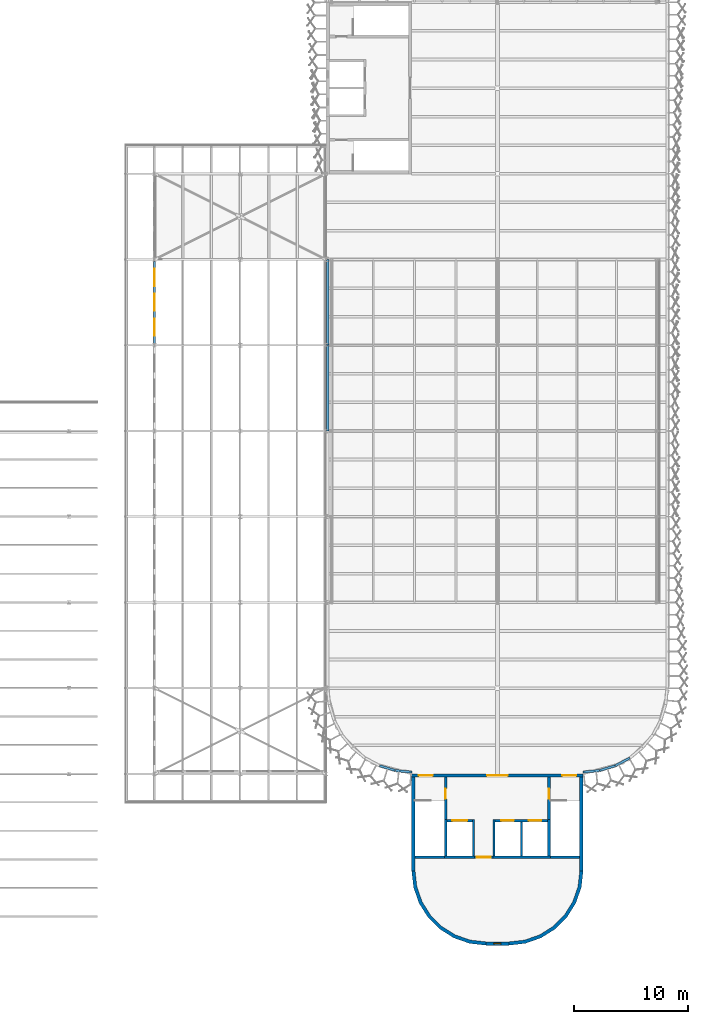
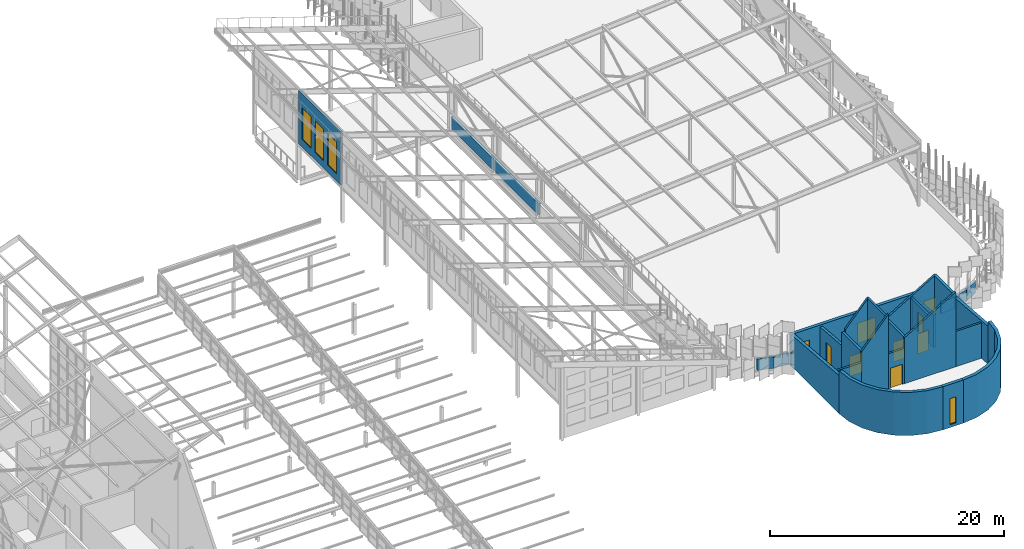
# One storey, part 122 of 483: 28 walls, 9 doors, 4 windows, 13 openings.
"""IFC4 building model written with IfcOpenShell, lengths in metres."""

from ifc_helpers import new_model, si_unit, direction, frame, frame_2d, origin, place, context, subcontext, project, spatial, polyline, rectangle, outline, extrude, material, layer, layer_set, type_object, element, fill, save


model = new_model("IFC4")

# Units and contexts
model_context = context("Model", 3, precision=1e-05, world=origin(), true_north=direction((0.0, 1.0)))
body_context = subcontext(model_context, "Body", "Model", "MODEL_VIEW")
ifc_project = project(units=[si_unit("LENGTHUNIT", "METRE"), si_unit("AREAUNIT", "SQUARE_METRE"), si_unit("VOLUMEUNIT", "CUBIC_METRE"), si_unit("PLANEANGLEUNIT", "RADIAN"), si_unit("MASSUNIT", "GRAM", prefix="KILO")], contexts=[model_context])

# Site, building, storey
site_placement = place(None, origin())
site = spatial("IfcSite", under=ifc_project, at=site_placement, CompositionType="ELEMENT")
building_placement = place(site_placement, origin())
building = spatial("IfcBuilding", under=site, at=building_placement, Name="Parallax Yard Mobility Hub", CompositionType="ELEMENT")
storey_placement = place(building_placement, frame((0.0, 0.0, 13.199951171875)))
storey = spatial("IfcBuildingStorey", under=building, at=storey_placement, Name="L04", CompositionType="ELEMENT", Elevation=13.199951171875)

# Wall, openings, doors
ifc_material_1 = material(Name="Concrete fc' 35 MPa", Category="concrete")
ifc_layer_1 = layer(ifc_material_1, 0.300048828125)
ifc_layer_set_1 = layer_set([ifc_layer_1], Name="Concrete fc' 35 MPa core wall 300")
wall_type_1 = type_object("IfcWallType", Name="Concrete fc' 35 MPa core wall 300", PredefinedType="SHEAR", material=ifc_layer_set_1)
wall_1_placement = place(storey_placement, frame((202.5, 22.35009765625, 0.0), z_axis=(0.0, 0.0, 1.0), x_axis=(1.0, 0.0, 0.0)))
wall_1 = element("IfcWall", 1, at=wall_1_placement, inside=storey, type_object=wall_type_1, Name="Core C-S entry wall level L04", PredefinedType="SHEAR", context=body_context, shape_type="SweptSolid", body=[
    extrude(rectangle(XDim=15.0, YDim=0.300048828125, at=frame_2d((7.5, 0.0))), origin(), (0.0, 0.0, 1.0), 3.300048828125),
])
opening_1_placement = place(wall_1_placement, frame((13.179931640625, 0.0, 0.0)))
opening_1 = element("IfcOpeningElement", 2, at=opening_1_placement, cuts=wall_1, Name="Opening L04-D724", PredefinedType="OPENING", context=body_context, shape_type="SweptSolid", body=[
    extrude(rectangle(XDim=1.199951171875, YDim=2.10009765625, at=frame_2d((0.60009765625, 1.050048828125))), frame((0.0, 0.16015625, 0.0), z_axis=(0.0, -1.0, 0.0), x_axis=(1.0, 0.0, 0.0)), (0.0, 0.0, 1.0), 0.320068359375),
])
opening_2_placement = place(wall_1_placement, frame((0.6201171875, 0.0, 0.0)))
opening_2 = element("IfcOpeningElement", 3, at=opening_2_placement, cuts=wall_1, Name="Opening L04-D725", PredefinedType="OPENING", context=body_context, shape_type="SweptSolid", body=[
    extrude(rectangle(XDim=1.199951171875, YDim=2.10009765625, at=frame_2d((0.60009765625, 1.050048828125))), frame((0.0, 0.16015625, 0.0), z_axis=(0.0, -1.0, 0.0), x_axis=(1.0, 0.0, 0.0)), (0.0, 0.0, 1.0), 0.320068359375),
])
opening_3_placement = place(wall_1_placement, frame((6.60009765625, 0.0, 0.0)))
opening_3 = element("IfcOpeningElement", 4, at=opening_3_placement, cuts=wall_1, Name="Opening L04-D726", PredefinedType="OPENING", context=body_context, shape_type="SweptSolid", body=[
    extrude(rectangle(XDim=1.800048828125, YDim=2.10009765625, at=frame_2d((0.89990234375, 1.050048828125))), frame((0.0, 0.16015625, 0.0), z_axis=(0.0, -1.0, 0.0), x_axis=(1.0, 0.0, 0.0)), (0.0, 0.0, 1.0), 0.320068359375),
])
ifc_material_2 = material(Name="Hollow metal steel door and frame", Category="steel")
door_type_1 = type_object("IfcDoorType", Name="Core door 1200 x 2100 FD90", OperationType="NOTDEFINED", PredefinedType="DOOR", material=ifc_material_2)
door_1_placement = place(opening_1_placement, origin())
door_1 = element("IfcDoor", 5, at=door_1_placement, inside=storey, type_object=door_type_1, Name="Stair deck door L04-D724, core C-S level L04", OperationType="SINGLE_SWING_RIGHT", OverallHeight=2.10009765625, OverallWidth=1.199951171875, PredefinedType="DOOR", context=body_context, shape_type="SweptSolid", body=[
    extrude(rectangle(XDim=1.199951171875, YDim=2.10009765625, at=frame_2d((0.60009765625, 1.050048828125))), frame((0.0, 0.02490234375, 0.0), z_axis=(0.0, -1.0, 0.0), x_axis=(1.0, 0.0, 0.0)), (0.0, 0.0, 1.0), 0.050048828125),
])
fill(opening_1, door_1)
door_2_placement = place(opening_2_placement, origin())
door_2 = element("IfcDoor", 6, at=door_2_placement, inside=storey, type_object=door_type_1, Name="Stair deck door L04-D725, core C-S level L04", OperationType="SINGLE_SWING_LEFT", OverallHeight=2.10009765625, OverallWidth=1.199951171875, PredefinedType="DOOR", context=body_context, shape_type="SweptSolid", body=[
    extrude(rectangle(XDim=1.199951171875, YDim=2.10009765625, at=frame_2d((0.60009765625, 1.050048828125))), frame((0.0, 0.02490234375, 0.0), z_axis=(0.0, -1.0, 0.0), x_axis=(1.0, 0.0, 0.0)), (0.0, 0.0, 1.0), 0.050048828125),
])
fill(opening_2, door_2)
door_type_2 = type_object("IfcDoorType", Name="Core double door 1800 x 2100 FD90", OperationType="NOTDEFINED", PredefinedType="DOOR", material=ifc_material_2)
door_3_placement = place(opening_3_placement, origin())
door_3 = element("IfcDoor", 7, at=door_3_placement, inside=storey, type_object=door_type_2, Name="Lift lobby door L04-D726, core C-S level L04", OperationType="DOUBLE_DOOR_SINGLE_SWING", OverallHeight=2.10009765625, OverallWidth=1.800048828125, PredefinedType="DOOR", context=body_context, shape_type="SweptSolid", body=[
    extrude(rectangle(XDim=1.800048828125, YDim=2.10009765625, at=frame_2d((0.89990234375, 1.050048828125))), frame((0.0, 0.02490234375, 0.0), z_axis=(0.0, -1.0, 0.0), x_axis=(1.0, 0.0, 0.0)), (0.0, 0.0, 1.0), 0.050048828125),
])
fill(opening_3, door_3)

# Wall, opening, window
wall_2_placement = place(storey_placement, frame((211.0, 7.64990234375, 0.0), z_axis=(0.0, 0.0, 1.0), x_axis=(-1.0, 0.0, 0.0)))
wall_2 = element("IfcWall", 8, at=wall_2_placement, inside=storey, type_object=wall_type_1, Name="Core C-S back wall level L04", PredefinedType="SHEAR", context=body_context, shape_type="SweptSolid", body=[
    extrude(rectangle(XDim=2.0, YDim=0.300048828125, at=frame_2d((1.0, 0.0))), origin(), (0.0, 0.0, 1.0), 4.5),
])
opening_4_placement = place(wall_2_placement, frame((0.699951171875, 0.0, 0.300048828125)))
opening_4 = element("IfcOpeningElement", 9, at=opening_4_placement, cuts=wall_2, Name="Opening CW-S1", PredefinedType="OPENING", context=body_context, shape_type="SweptSolid", body=[
    extrude(rectangle(XDim=0.60009765625, YDim=2.699951171875, at=frame_2d((0.300048828125, 1.35009765625))), frame((0.0, 0.16015625, 0.0), z_axis=(0.0, -1.0, 0.0), x_axis=(1.0, 0.0, 0.0)), (0.0, 0.0, 1.0), 0.320068359375),
])
ifc_material_3 = material(Name="Fire-resisting glazing in a steel frame", Category="steel")
window_type_1 = type_object("IfcWindowType", Name="Core slot window 600 x 2700", PartitioningType="SINGLE_PANEL", PredefinedType="WINDOW", material=ifc_material_3)
window_1_placement = place(opening_4_placement, origin())
window_1 = element("IfcWindow", 10, at=window_1_placement, inside=storey, type_object=window_type_1, Name="Glazed slot 1, core C-S level L04", OverallHeight=2.699951171875, OverallWidth=0.60009765625, PartitioningType="SINGLE_PANEL", PredefinedType="WINDOW", context=body_context, shape_type="SweptSolid", body=[
    extrude(rectangle(XDim=0.60009765625, YDim=2.699951171875, at=frame_2d((0.300048828125, 1.35009765625))), frame((0.0, 0.030029296875, 0.0), z_axis=(0.0, -1.0, 0.0), x_axis=(1.0, 0.0, 0.0)), (0.0, 0.0, 1.0), 0.06005859375),
])
fill(opening_4, window_1)

# Walls
wall_3_placement = place(storey_placement, frame((217.35009765625, 22.199951171875, 0.0), z_axis=(0.0, 0.0, 1.0), x_axis=(0.0, -1.0, 0.0)))
element("IfcWall", 11, at=wall_3_placement, inside=storey, type_object=wall_type_1, Name="Core C-S west-side end wall level L04", PredefinedType="SHEAR", context=body_context, shape_type="SweptSolid", body=[
    extrude(outline(polyline([(0.0, 0.0), (8.199951171875, 0.0), (8.199951171875, 3.9833984375), (0.0, 3.300048828125), (0.0, 0.0)])), frame((0.0, 0.14990234375, 0.0), z_axis=(0.0, -1.0, 0.0), x_axis=(1.0, 0.0, 0.0)), (0.0, 0.0, 1.0), 0.300048828125),
])
wall_4_placement = place(storey_placement, frame((202.64990234375, 14.0, 0.0), z_axis=(0.0, 0.0, 1.0), x_axis=(0.0, 1.0, 0.0)))
element("IfcWall", 12, at=wall_4_placement, inside=storey, type_object=wall_type_1, Name="Core C-S east-side end wall level L04", PredefinedType="SHEAR", context=body_context, shape_type="SweptSolid", body=[
    extrude(outline(polyline([(0.0, 0.0), (8.199951171875, 0.0), (8.199951171875, 3.300048828125), (0.0, 3.9833984375), (0.0, 0.0)])), frame((0.0, 0.14990234375, 0.0), z_axis=(0.0, -1.0, 0.0), x_axis=(1.0, 0.0, 0.0)), (0.0, 0.0, 1.0), 0.300048828125),
])
wall_5_placement = place(storey_placement, origin())
element("IfcWall", 13, at=wall_5_placement, inside=storey, type_object=wall_type_1, Name="Core C-S rounded corner west level L04", PredefinedType="SHEAR", context=body_context, shape_type="SweptSolid", body=[
    extrude(outline(polyline([(217.5, 14.0), (217.3369140625, 12.5537109375), (216.856201171875, 11.1796875), (216.081787109375, 9.947265625), (215.052734375, 8.918212890625), (213.8203125, 8.143798828125), (212.4462890625, 7.6630859375), (211.0, 7.5), (211.0, 7.800048828125), (212.379638671875, 7.955322265625), (213.690185546875, 8.4140625), (214.865478515625, 9.152587890625), (215.847412109375, 10.134521484375), (216.5859375, 11.309814453125), (217.044677734375, 12.620361328125), (217.199951171875, 14.0), (217.5, 14.0)])), origin(), (0.0, 0.0, 1.0), 4.5),
])
wall_6_placement = place(storey_placement, origin())
element("IfcWall", 14, at=wall_6_placement, inside=storey, type_object=wall_type_1, Name="Core C-S rounded corner east level L04", PredefinedType="SHEAR", context=body_context, shape_type="SweptSolid", body=[
    extrude(outline(polyline([(202.5, 14.0), (202.6630859375, 12.5537109375), (203.143798828125, 11.1796875), (203.918212890625, 9.947265625), (204.947265625, 8.918212890625), (206.1796875, 8.143798828125), (207.5537109375, 7.6630859375), (209.0, 7.5), (209.0, 7.800048828125), (207.620361328125, 7.955322265625), (206.309814453125, 8.4140625), (205.134521484375, 9.152587890625), (204.152587890625, 10.134521484375), (203.4140625, 11.309814453125), (202.955322265625, 12.620361328125), (202.800048828125, 14.0), (202.5, 14.0)])), origin(), (0.0, 0.0, 1.0), 4.5),
])

# Wall, openings, doors
ifc_layer_2 = layer(ifc_material_1, 0.199951171875)
ifc_layer_set_2 = layer_set([ifc_layer_2], Name="Concrete fc' 35 MPa internal core wall 200")
wall_type_2 = type_object("IfcWallType", Name="Concrete fc' 35 MPa internal core wall 200", PredefinedType="STANDARD", material=ifc_layer_set_2)
wall_7_placement = place(storey_placement, frame((214.39990234375, 18.39990234375, 0.0), z_axis=(0.0, 0.0, 1.0), x_axis=(-1.0, 0.0, 0.0)))
wall_7 = element("IfcWall", 15, at=wall_7_placement, inside=storey, type_object=wall_type_2, Name="Core C-S lift front 1 part 1 level L04", PredefinedType="STANDARD", context=body_context, shape_type="SweptSolid", body=[
    extrude(outline(polyline([(0.0, 0.0), (4.599853515625, 0.0), (4.60009765625, 4.9189453125), (0.0, 7.651611328125), (0.0, 0.0)])), frame((0.0, 0.10009765625, 0.0), z_axis=(0.0, -1.0, 0.0), x_axis=(1.0, 0.0, 0.0)), (0.0, 0.0, 1.0), 0.199951171875),
])
opening_5_placement = place(wall_7_placement, frame((0.550048828125, 0.0, 0.0)))
opening_5 = element("IfcOpeningElement", 16, at=opening_5_placement, cuts=wall_7, Name="Opening L04-D729", PredefinedType="OPENING", context=body_context, shape_type="SweptSolid", body=[
    extrude(rectangle(XDim=1.10009765625, YDim=2.10009765625, at=frame_2d((0.550048828125, 1.050048828125))), frame((0.0, 0.10986328125, 0.0), z_axis=(0.0, -1.0, 0.0), x_axis=(1.0, 0.0, 0.0)), (0.0, 0.0, 1.0), 0.219970703125),
])
opening_6_placement = place(wall_7_placement, frame((2.949951171875, 0.0, 0.0)))
opening_6 = element("IfcOpeningElement", 17, at=opening_6_placement, cuts=wall_7, Name="Opening L04-D730", PredefinedType="OPENING", context=body_context, shape_type="SweptSolid", body=[
    extrude(rectangle(XDim=1.10009765625, YDim=2.10009765625, at=frame_2d((0.550048828125, 1.050048828125))), frame((0.0, 0.10986328125, 0.0), z_axis=(0.0, -1.0, 0.0), x_axis=(1.0, 0.0, 0.0)), (0.0, 0.0, 1.0), 0.219970703125),
])
ifc_material_4 = material(Name="Stainless steel sliding door and frame", Category="steel")
door_type_3 = type_object("IfcDoorType", Name="Lift landing door 1100 x 2100 FD90", OperationType="DOUBLE_DOOR_SLIDING", PredefinedType="DOOR", material=ifc_material_4)
door_4_placement = place(opening_5_placement, origin())
door_4 = element("IfcDoor", 18, at=door_4_placement, inside=storey, type_object=door_type_3, Name="Lift landing door L04-D729, core C-S level L04", OperationType="DOUBLE_DOOR_SLIDING", OverallHeight=2.10009765625, OverallWidth=1.10009765625, PredefinedType="DOOR", context=body_context, shape_type="SweptSolid", body=[
    extrude(rectangle(XDim=1.10009765625, YDim=2.10009765625, at=frame_2d((0.550048828125, 1.050048828125))), frame((0.0, 0.02490234375, 0.0), z_axis=(0.0, -1.0, 0.0), x_axis=(1.0, 0.0, 0.0)), (0.0, 0.0, 1.0), 0.050048828125),
])
fill(opening_5, door_4)
door_5_placement = place(opening_6_placement, origin())
door_5 = element("IfcDoor", 19, at=door_5_placement, inside=storey, type_object=door_type_3, Name="Lift landing door L04-D730, core C-S level L04", OperationType="DOUBLE_DOOR_SLIDING", OverallHeight=2.10009765625, OverallWidth=1.10009765625, PredefinedType="DOOR", context=body_context, shape_type="SweptSolid", body=[
    extrude(rectangle(XDim=1.10009765625, YDim=2.10009765625, at=frame_2d((0.550048828125, 1.050048828125))), frame((0.0, 0.02490234375, 0.0), z_axis=(0.0, -1.0, 0.0), x_axis=(1.0, 0.0, 0.0)), (0.0, 0.0, 1.0), 0.050048828125),
])
fill(opening_6, door_5)

# Wall, opening, door
wall_8_placement = place(storey_placement, frame((207.800048828125, 18.39990234375, 0.0), z_axis=(0.0, 0.0, 1.0), x_axis=(-1.0, 0.0, 0.0)))
wall_8 = element("IfcWall", 20, at=wall_8_placement, inside=storey, type_object=wall_type_2, Name="Core C-S lift front 2 part 2 level L04", PredefinedType="STANDARD", context=body_context, shape_type="SweptSolid", body=[
    extrude(outline(polyline([(0.0, 0.0), (2.199951171875, 0.0), (2.199951171875, 5.0830078125), (0.0, 7.57373046875), (0.0, 0.0)])), frame((0.0, 0.10009765625, 0.0), z_axis=(0.0, -1.0, 0.0), x_axis=(1.0, 0.0, 0.0)), (0.0, 0.0, 1.0), 0.199951171875),
])
opening_7_placement = place(wall_8_placement, frame((0.449951171875, 0.0, 0.0)))
opening_7 = element("IfcOpeningElement", 21, at=opening_7_placement, cuts=wall_8, Name="Opening L04-D731", PredefinedType="OPENING", context=body_context, shape_type="SweptSolid", body=[
    extrude(rectangle(XDim=1.300048828125, YDim=2.10009765625, at=frame_2d((0.64990234375, 1.050048828125))), frame((0.0, 0.10986328125, 0.0), z_axis=(0.0, -1.0, 0.0), x_axis=(1.0, 0.0, 0.0)), (0.0, 0.0, 1.0), 0.219970703125),
])
door_type_4 = type_object("IfcDoorType", Name="Goods lift landing door 1300 x 2100 FD90", OperationType="DOUBLE_DOOR_SLIDING", PredefinedType="DOOR", material=ifc_material_4)
door_6_placement = place(opening_7_placement, origin())
door_6 = element("IfcDoor", 22, at=door_6_placement, inside=storey, type_object=door_type_4, Name="Lift landing door L04-D731, core C-S level L04", OperationType="DOUBLE_DOOR_SLIDING", OverallHeight=2.10009765625, OverallWidth=1.300048828125, PredefinedType="DOOR", context=body_context, shape_type="SweptSolid", body=[
    extrude(rectangle(XDim=1.300048828125, YDim=2.10009765625, at=frame_2d((0.64990234375, 1.050048828125))), frame((0.0, 0.02490234375, 0.0), z_axis=(0.0, -1.0, 0.0), x_axis=(1.0, 0.0, 0.0)), (0.0, 0.0, 1.0), 0.050048828125),
])
fill(opening_7, door_6)

# Walls
wall_9_placement = place(storey_placement, frame((212.10009765625, 18.300048828125, 0.0), z_axis=(0.0, 0.0, 1.0), x_axis=(0.0, -1.0, 0.0)))
element("IfcWall", 23, at=wall_9_placement, inside=storey, type_object=wall_type_2, Name="Core C-S lift wall 1 part 1 level L04", PredefinedType="STANDARD", context=body_context, shape_type="SweptSolid", body=[
    extrude(rectangle(XDim=3.0, YDim=0.199951171875, at=frame_2d((1.5, 0.0))), origin(), (0.0, 0.0, 1.0), 6.225830078125),
])
wall_10_placement = place(storey_placement, frame((209.699951171875, 18.5, 0.0), z_axis=(0.0, 0.0, 1.0), x_axis=(0.0, -1.0, 0.0)))
element("IfcWall", 24, at=wall_10_placement, inside=storey, type_object=wall_type_2, Name="Core C-S lift wall 2 part 2 level L04", PredefinedType="STANDARD", context=body_context, shape_type="SweptSolid", body=[
    extrude(rectangle(XDim=3.199951171875, YDim=0.199951171875, at=frame_2d((1.60009765625, 0.0))), origin(), (0.0, 0.0, 1.0), 4.800048828125),
])
wall_11_placement = place(storey_placement, frame((207.89990234375, 18.5, 0.0), z_axis=(0.0, 0.0, 1.0), x_axis=(0.0, -1.0, 0.0)))
element("IfcWall", 25, at=wall_11_placement, inside=storey, type_object=wall_type_2, Name="Core C-S lift wall 3 part 3 level L04", PredefinedType="STANDARD", context=body_context, shape_type="SweptSolid", body=[
    extrude(rectangle(XDim=3.199951171875, YDim=0.199951171875, at=frame_2d((1.60009765625, 0.0))), origin(), (0.0, 0.0, 1.0), 7.57373046875),
])
wall_12_placement = place(storey_placement, frame((217.199951171875, 15.199951171875, 0.0), z_axis=(0.0, 0.0, 1.0), x_axis=(-1.0, 0.0, 0.0)))
element("IfcWall", 26, at=wall_12_placement, inside=storey, type_object=wall_type_2, Name="Core C-S plant wall 1 part 1 level L04", PredefinedType="STANDARD", context=body_context, shape_type="SweptSolid", body=[
    extrude(rectangle(XDim=2.550048828125, YDim=0.199951171875, at=frame_2d((1.27490234375, 0.0))), origin(), (0.0, 0.0, 1.0), 3.683349609375),
])
wall_13_placement = place(storey_placement, frame((214.64990234375, 15.199951171875, 0.0), z_axis=(0.0, 0.0, 1.0), x_axis=(-1.0, 0.0, 0.0)))
element("IfcWall", 27, at=wall_13_placement, inside=storey, type_object=wall_type_2, Name="Core C-S plant wall 2 part 2 level L04", PredefinedType="STANDARD", context=body_context, shape_type="SweptSolid", body=[
    extrude(outline(polyline([(0.0, 0.0), (5.0498046875, 0.0), (5.050048828125, 4.800048828125), (0.0, 7.800048828125), (0.0, 0.0)])), frame((0.0, 0.10009765625, 0.0), z_axis=(0.0, -1.0, 0.0), x_axis=(1.0, 0.0, 0.0)), (0.0, 0.0, 1.0), 0.199951171875),
])

# Wall, opening, door
wall_14_placement = place(storey_placement, frame((209.60009765625, 15.199951171875, 0.0), z_axis=(0.0, 0.0, 1.0), x_axis=(-1.0, 0.0, 0.0)))
wall_14 = element("IfcWall", 28, at=wall_14_placement, inside=storey, type_object=wall_type_2, Name="Core C-S plant wall 3 part 3 level L04", PredefinedType="STANDARD", context=body_context, shape_type="SweptSolid", body=[
    extrude(rectangle(XDim=1.60009765625, YDim=0.199951171875, at=frame_2d((0.800048828125, 0.0))), origin(), (0.0, 0.0, 1.0), 3.683349609375),
])
opening_8_placement = place(wall_14_placement, frame((0.199951171875, 0.0, 0.0)))
opening_8 = element("IfcOpeningElement", 29, at=opening_8_placement, cuts=wall_14, Name="Opening L04-D732", PredefinedType="OPENING", context=body_context, shape_type="SweptSolid", body=[
    extrude(rectangle(XDim=1.199951171875, YDim=2.10009765625, at=frame_2d((0.60009765625, 1.050048828125))), frame((0.0, 0.10986328125, 0.0), z_axis=(0.0, -1.0, 0.0), x_axis=(1.0, 0.0, 0.0)), (0.0, 0.0, 1.0), 0.219970703125),
])
door_7_placement = place(opening_8_placement, origin())
door_7 = element("IfcDoor", 30, at=door_7_placement, inside=storey, type_object=door_type_1, Name="Plant room door L04-D732, core C-S level L04", OperationType="SINGLE_SWING_RIGHT", OverallHeight=2.10009765625, OverallWidth=1.199951171875, PredefinedType="DOOR", context=body_context, shape_type="SweptSolid", body=[
    extrude(rectangle(XDim=1.199951171875, YDim=2.10009765625, at=frame_2d((0.60009765625, 1.050048828125))), frame((0.0, 0.02490234375, 0.0), z_axis=(0.0, -1.0, 0.0), x_axis=(1.0, 0.0, 0.0)), (0.0, 0.0, 1.0), 0.050048828125),
])
fill(opening_8, door_7)

# Walls
wall_15_placement = place(storey_placement, frame((208.0, 15.199951171875, 0.0), z_axis=(0.0, 0.0, 1.0), x_axis=(-1.0, 0.0, 0.0)))
element("IfcWall", 31, at=wall_15_placement, inside=storey, type_object=wall_type_2, Name="Core C-S plant wall 4 part 4 level L04", PredefinedType="STANDARD", context=body_context, shape_type="SweptSolid", body=[
    extrude(outline(polyline([(0.0, 0.0), (2.64990234375, 0.0), (2.64990234375, 4.800048828125), (0.0, 7.800048828125), (0.0, 0.0)])), frame((0.0, 0.10009765625, 0.0), z_axis=(0.0, -1.0, 0.0), x_axis=(1.0, 0.0, 0.0)), (0.0, 0.0, 1.0), 0.199951171875),
])
wall_16_placement = place(storey_placement, frame((205.35009765625, 15.199951171875, 0.0), z_axis=(0.0, 0.0, 1.0), x_axis=(-1.0, 0.0, 0.0)))
element("IfcWall", 32, at=wall_16_placement, inside=storey, type_object=wall_type_2, Name="Core C-S plant wall 5 part 5 level L04", PredefinedType="STANDARD", context=body_context, shape_type="SweptSolid", body=[
    extrude(rectangle(XDim=2.550048828125, YDim=0.199951171875, at=frame_2d((1.27490234375, 0.0))), origin(), (0.0, 0.0, 1.0), 3.683349609375),
])

# Wall, opening, door
ifc_layer_3 = layer(ifc_material_1, 0.25)
ifc_layer_set_3 = layer_set([ifc_layer_3], Name="Concrete fc' 35 MPa stair enclosure wall 250")
wall_type_3 = type_object("IfcWallType", Name="Concrete fc' 35 MPa stair enclosure wall 250", PredefinedType="STANDARD", material=ifc_layer_set_3)
wall_17_placement = place(storey_placement, frame((214.52490234375, 22.199951171875, 0.0), z_axis=(0.0, 0.0, 1.0), x_axis=(0.0, -1.0, 0.0)))
wall_17 = element("IfcWall", 33, at=wall_17_placement, inside=storey, type_object=wall_type_3, Name="Core C-S stair 1 partition 1 part 1 level L04", PredefinedType="STANDARD", context=body_context, shape_type="SweptSolid", body=[
    extrude(outline(polyline([(0.0, 0.0), (3.699951171875, 0.0), (3.699951171875, 3.408447265625), (0.0, 3.10009765625), (0.0, 0.0)])), frame((0.0, 0.125, 0.0), z_axis=(0.0, -1.0, 0.0), x_axis=(1.0, 0.0, 0.0)), (0.0, 0.0, 1.0), 0.25),
])
opening_9_placement = place(wall_17_placement, frame((1.0, 0.0, 0.0)))
opening_9 = element("IfcOpeningElement", 34, at=opening_9_placement, cuts=wall_17, Name="Opening L04-D727", PredefinedType="OPENING", context=body_context, shape_type="SweptSolid", body=[
    extrude(rectangle(XDim=0.89990234375, YDim=2.10009765625, at=frame_2d((0.449951171875, 1.050048828125))), frame((0.0, 0.135009765625, 0.0), z_axis=(0.0, -1.0, 0.0), x_axis=(1.0, 0.0, 0.0)), (0.0, 0.0, 1.0), 0.27001953125),
])
door_type_5 = type_object("IfcDoorType", Name="Core door 900 x 2100 FD90", OperationType="NOTDEFINED", PredefinedType="DOOR", material=ifc_material_2)
door_8_placement = place(opening_9_placement, origin())
door_8 = element("IfcDoor", 35, at=door_8_placement, inside=storey, type_object=door_type_5, Name="Stair lobby door L04-D727, core C-S level L04", OperationType="SINGLE_SWING_LEFT", OverallHeight=2.10009765625, OverallWidth=0.89990234375, PredefinedType="DOOR", context=body_context, shape_type="SweptSolid", body=[
    extrude(rectangle(XDim=0.89990234375, YDim=2.10009765625, at=frame_2d((0.449951171875, 1.050048828125))), frame((0.0, 0.02490234375, 0.0), z_axis=(0.0, -1.0, 0.0), x_axis=(1.0, 0.0, 0.0)), (0.0, 0.0, 1.0), 0.050048828125),
])
fill(opening_9, door_8)

# Wall
wall_18_placement = place(storey_placement, frame((214.52490234375, 18.5, 0.0), z_axis=(0.0, 0.0, 1.0), x_axis=(0.0, -1.0, 0.0)))
element("IfcWall", 36, at=wall_18_placement, inside=storey, type_object=wall_type_3, Name="Core C-S stair 1 partition 2 part 2 level L04", PredefinedType="STANDARD", context=body_context, shape_type="SweptSolid", body=[
    extrude(rectangle(XDim=3.199951171875, YDim=0.25, at=frame_2d((1.60009765625, 0.0))), origin(), (0.0, 0.0, 1.0), 7.651611328125),
])

# Wall, opening, door
wall_19_placement = place(storey_placement, frame((205.47509765625, 18.5, 0.0), z_axis=(0.0, 0.0, 1.0), x_axis=(0.0, 1.0, 0.0)))
wall_19 = element("IfcWall", 37, at=wall_19_placement, inside=storey, type_object=wall_type_3, Name="Core C-S stair 2 partition 1 part 1 level L04", PredefinedType="STANDARD", context=body_context, shape_type="SweptSolid", body=[
    extrude(outline(polyline([(0.0, 0.0), (3.699951171875, 0.0), (3.699951171875, 3.10009765625), (0.0, 3.408447265625), (0.0, 0.0)])), frame((0.0, 0.125, 0.0), z_axis=(0.0, -1.0, 0.0), x_axis=(1.0, 0.0, 0.0)), (0.0, 0.0, 1.0), 0.25),
])
opening_10_placement = place(wall_19_placement, frame((1.800048828125, 0.0, 0.0)))
opening_10 = element("IfcOpeningElement", 38, at=opening_10_placement, cuts=wall_19, Name="Opening L04-D728", PredefinedType="OPENING", context=body_context, shape_type="SweptSolid", body=[
    extrude(rectangle(XDim=0.89990234375, YDim=2.10009765625, at=frame_2d((0.449951171875, 1.050048828125))), frame((0.0, 0.135009765625, 0.0), z_axis=(0.0, -1.0, 0.0), x_axis=(1.0, 0.0, 0.0)), (0.0, 0.0, 1.0), 0.27001953125),
])
door_9_placement = place(opening_10_placement, origin())
door_9 = element("IfcDoor", 39, at=door_9_placement, inside=storey, type_object=door_type_5, Name="Stair lobby door L04-D728, core C-S level L04", OperationType="SINGLE_SWING_RIGHT", OverallHeight=2.10009765625, OverallWidth=0.89990234375, PredefinedType="DOOR", context=body_context, shape_type="SweptSolid", body=[
    extrude(rectangle(XDim=0.89990234375, YDim=2.10009765625, at=frame_2d((0.449951171875, 1.050048828125))), frame((0.0, 0.02490234375, 0.0), z_axis=(0.0, -1.0, 0.0), x_axis=(1.0, 0.0, 0.0)), (0.0, 0.0, 1.0), 0.050048828125),
])
fill(opening_10, door_9)

# Wall
wall_20_placement = place(storey_placement, frame((205.47509765625, 18.5, 0.0), z_axis=(0.0, 0.0, 1.0), x_axis=(0.0, -1.0, 0.0)))
element("IfcWall", 40, at=wall_20_placement, inside=storey, type_object=wall_type_3, Name="Core C-S stair 2 partition 2 part 2 level L04", PredefinedType="STANDARD", context=body_context, shape_type="SweptSolid", body=[
    extrude(rectangle(XDim=3.199951171875, YDim=0.25, at=frame_2d((1.60009765625, 0.0))), origin(), (0.0, 0.0, 1.0), 4.800048828125),
])

# Wall, openings, windows
ifc_layer_4 = layer(ifc_material_1, 0.199951171875)
ifc_layer_set_4 = layer_set([ifc_layer_4], Name="Louvre screen wall, Concrete fc' 35 MPa precast, 200")
wall_type_4 = type_object("IfcWallType", Name="Louvre screen wall, Concrete fc' 35 MPa precast, 200", PredefinedType="SOLIDWALL", material=ifc_layer_set_4)
wall_21_placement = place(storey_placement, frame((180.0, 60.153564453125, 3.800048828125), z_axis=(0.0, 0.0, 1.0), x_axis=(0.0, 1.0, 0.0)))
wall_21 = element("IfcWall", 41, at=wall_21_placement, inside=storey, type_object=wall_type_4, Name="Ramp house west clerestory louvre band bay 6 level L04", PredefinedType="SOLIDWALL", context=body_context, shape_type="SweptSolid", body=[
    extrude(rectangle(XDim=7.19287109375, YDim=0.199951171875, at=frame_2d((3.596435546875, 0.0))), origin(), (0.0, 0.0, 1.0), 5.57421875),
])
opening_11_placement = place(wall_21_placement, frame((0.67333984375, 0.0, 0.800048828125)))
opening_11 = element("IfcOpeningElement", 42, at=opening_11_placement, cuts=wall_21, Name="Opening LV1", PredefinedType="OPENING", context=body_context, shape_type="SweptSolid", body=[
    extrude(rectangle(XDim=1.5, YDim=3.300048828125, at=frame_2d((0.75, 1.64990234375))), frame((0.0, 0.10986328125, 0.0), z_axis=(0.0, -1.0, 0.0), x_axis=(1.0, 0.0, 0.0)), (0.0, 0.0, 1.0), 0.219970703125),
])
opening_12_placement = place(wall_21_placement, frame((2.846435546875, 0.0, 0.800048828125)))
opening_12 = element("IfcOpeningElement", 43, at=opening_12_placement, cuts=wall_21, Name="Opening LV1", PredefinedType="OPENING", context=body_context, shape_type="SweptSolid", body=[
    extrude(rectangle(XDim=1.5, YDim=3.300048828125, at=frame_2d((0.75, 1.64990234375))), frame((0.0, 0.10986328125, 0.0), z_axis=(0.0, -1.0, 0.0), x_axis=(1.0, 0.0, 0.0)), (0.0, 0.0, 1.0), 0.219970703125),
])
opening_13_placement = place(wall_21_placement, frame((5.019775390625, 0.0, 0.800048828125)))
opening_13 = element("IfcOpeningElement", 44, at=opening_13_placement, cuts=wall_21, Name="Opening LV1", PredefinedType="OPENING", context=body_context, shape_type="SweptSolid", body=[
    extrude(rectangle(XDim=1.5, YDim=3.300048828125, at=frame_2d((0.75, 1.64990234375))), frame((0.0, 0.10986328125, 0.0), z_axis=(0.0, -1.0, 0.0), x_axis=(1.0, 0.0, 0.0)), (0.0, 0.0, 1.0), 0.219970703125),
])
ifc_material_5 = material(Name="Extruded aluminium storm louvre blades in a powder-coated frame", Category="aluminium")
window_type_2 = type_object("IfcWindowType", Name="Storm louvre 1500 x 3300", PartitioningType="SINGLE_PANEL", PredefinedType="WINDOW", material=ifc_material_5)
window_2_placement = place(opening_11_placement, origin())
window_2 = element("IfcWindow", 45, at=window_2_placement, inside=storey, type_object=window_type_2, Name="LV1 louvre level L04", OverallHeight=3.300048828125, OverallWidth=1.5, PartitioningType="SINGLE_PANEL", PredefinedType="WINDOW", context=body_context, shape_type="SweptSolid", body=[
    extrude(rectangle(XDim=1.5, YDim=3.300048828125, at=frame_2d((0.75, 1.64990234375))), frame((0.0, 0.030029296875, 0.0), z_axis=(0.0, -1.0, 0.0), x_axis=(1.0, 0.0, 0.0)), (0.0, 0.0, 1.0), 0.06005859375),
])
fill(opening_11, window_2)
window_3_placement = place(opening_12_placement, origin())
window_3 = element("IfcWindow", 46, at=window_3_placement, inside=storey, type_object=window_type_2, Name="LV1 louvre level L04", OverallHeight=3.300048828125, OverallWidth=1.5, PartitioningType="SINGLE_PANEL", PredefinedType="WINDOW", context=body_context, shape_type="SweptSolid", body=[
    extrude(rectangle(XDim=1.5, YDim=3.300048828125, at=frame_2d((0.75, 1.64990234375))), frame((0.0, 0.030029296875, 0.0), z_axis=(0.0, -1.0, 0.0), x_axis=(1.0, 0.0, 0.0)), (0.0, 0.0, 1.0), 0.06005859375),
])
fill(opening_12, window_3)
window_4_placement = place(opening_13_placement, origin())
window_4 = element("IfcWindow", 47, at=window_4_placement, inside=storey, type_object=window_type_2, Name="LV1 louvre level L04", OverallHeight=3.300048828125, OverallWidth=1.5, PartitioningType="SINGLE_PANEL", PredefinedType="WINDOW", context=body_context, shape_type="SweptSolid", body=[
    extrude(rectangle(XDim=1.5, YDim=3.300048828125, at=frame_2d((0.75, 1.64990234375))), frame((0.0, 0.030029296875, 0.0), z_axis=(0.0, -1.0, 0.0), x_axis=(1.0, 0.0, 0.0)), (0.0, 0.0, 1.0), 0.06005859375),
])
fill(opening_13, window_4)

# Walls
ifc_layer_5 = layer(ifc_material_1, 0.199951171875)
ifc_layer_set_5 = layer_set([ifc_layer_5], Name="Roof parapet wall, Concrete fc' 35 MPa precast, 200")
wall_type_5 = type_object("IfcWallType", Name="Roof parapet wall, Concrete fc' 35 MPa precast, 200", PredefinedType="SOLIDWALL", material=ifc_layer_set_5)
for number, where, z_axis, x_axis, name in (
    (48, (195.14599609375, 67.49755859375, 0.0), (0.0, 0.0, 1.0), (0.0, -1.0, 0.0), "Roof parapet wall bay 25 level L04"),
    (49, (195.14599609375, 59.99755859375, 0.0), (0.0, 0.0, 1.0), (0.0, -1.0, 0.0), "Roof parapet wall bay 26 level L04"),
):
    element("IfcWall", number, at=place(storey_placement, frame(where, z_axis=z_axis, x_axis=x_axis)), inside=storey, type_object=wall_type_5, Name=name, PredefinedType="SOLIDWALL", context=body_context, shape_type="SweptSolid", body=[
        extrude(rectangle(XDim=7.495849609375, YDim=0.199951171875, at=frame_2d((3.748046875, 0.0))), origin(), (0.0, 0.0, 1.0), 1.199951171875),
    ])
wall_22_placement = place(storey_placement, frame((199.695068359375, 23.204345703125, 0.0), z_axis=(0.0, 0.0, 1.0), x_axis=(0.956809512244, -0.290715595178, 0.0)))
element("IfcWall", 50, at=wall_22_placement, inside=storey, type_object=wall_type_5, Name="Roof parapet wall bay 30-7 level L04", PredefinedType="SOLIDWALL", context=body_context, shape_type="SweptSolid", body=[
    extrude(rectangle(XDim=1.415771484375, YDim=0.199951171875, at=frame_2d((0.7080078125, 0.0))), origin(), (0.0, 0.0, 1.0), 1.199951171875),
])
for number, where, z_axis, x_axis, name in (
    (51, (201.07421875, 22.787841796875, 0.0), (0.0, 0.0, 1.0), (0.995137221505, -0.098498276006, 0.0), "Roof parapet wall bay 30-8 level L04"),
    (52, (217.490966796875, 22.645751953125, 0.0), (0.0, 0.0, 1.0), (0.995120618782, 0.098665870876, 0.0), "Roof parapet wall bay 32-1 level L04"),
):
    element("IfcWall", number, at=place(storey_placement, frame(where, z_axis=z_axis, x_axis=x_axis)), inside=storey, type_object=wall_type_5, Name=name, PredefinedType="SOLIDWALL", context=body_context, shape_type="SweptSolid", body=[
        extrude(rectangle(XDim=1.442626953125, YDim=0.199951171875, at=frame_2d((0.72119140625, 0.0))), origin(), (0.0, 0.0, 1.0), 1.199951171875),
    ])
for number, where, z_axis, x_axis, name in (
    (53, (218.950927734375, 22.79296875, 0.0), (0.0, 0.0, 1.0), (0.956809512244, 0.290715595178, 0.0), "Roof parapet wall bay 32-2 level L04"),
    (54, (220.32861328125, 23.214111328125, 0.0), (0.0, 0.0, 1.0), (0.881702903017, 0.471805034746, 0.0), "Roof parapet wall bay 32-3 level L04"),
):
    element("IfcWall", number, at=place(storey_placement, frame(where, z_axis=z_axis, x_axis=x_axis)), inside=storey, type_object=wall_type_5, Name=name, PredefinedType="SOLIDWALL", context=body_context, shape_type="SweptSolid", body=[
        extrude(rectangle(XDim=1.415771484375, YDim=0.199951171875, at=frame_2d((0.7080078125, 0.0))), origin(), (0.0, 0.0, 1.0), 1.199951171875),
    ])

save(model, "model.ifc")
